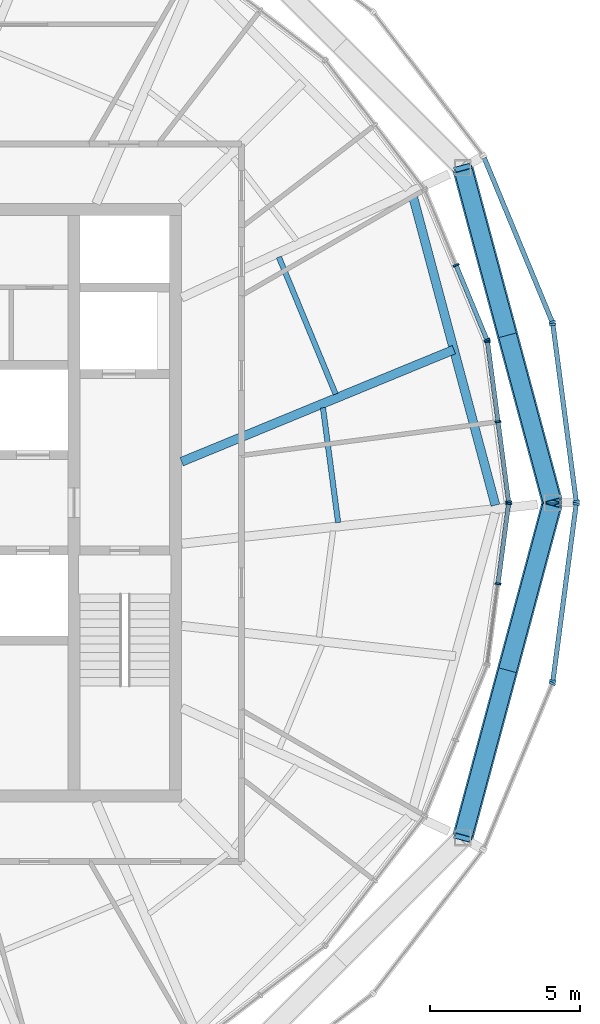
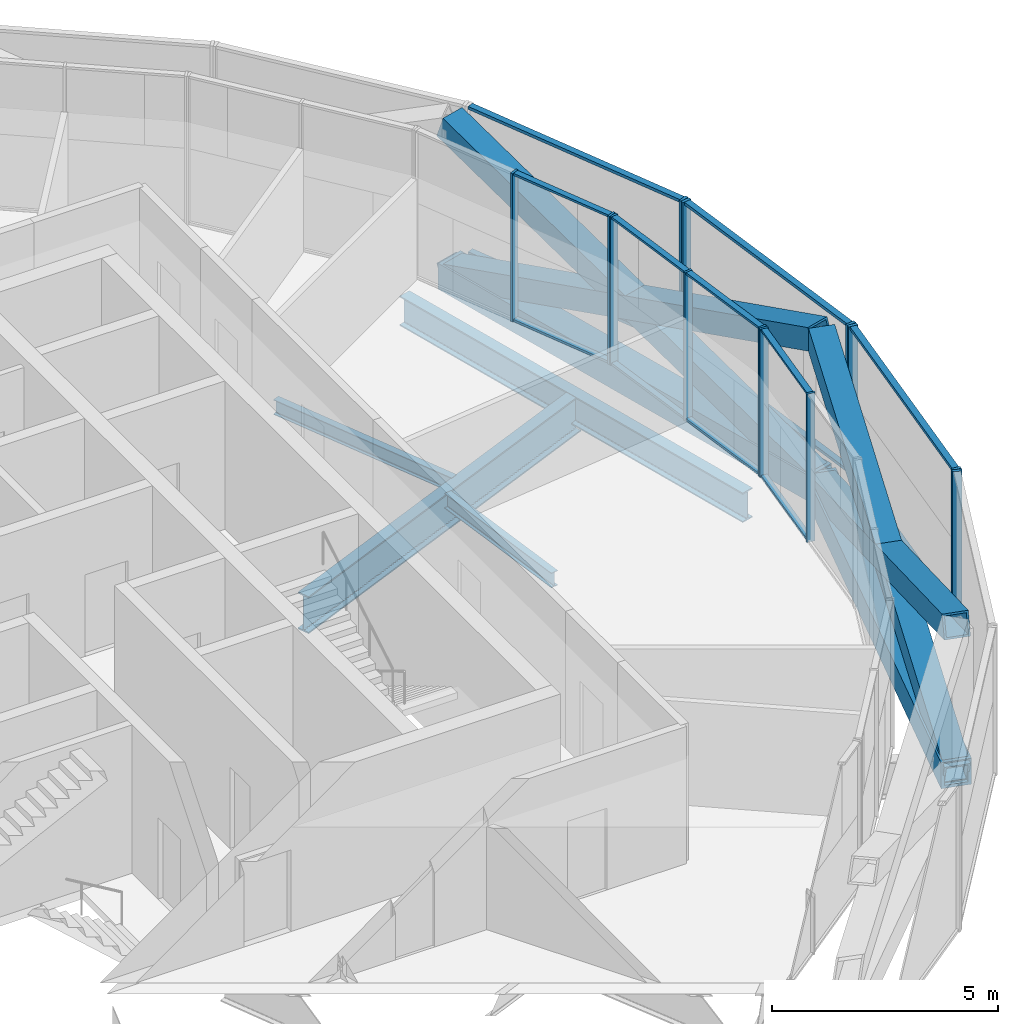
# One storey, part 6 of 17: 31 members, 6 beams, 7 elements without a shape of their own.
"""IFC4 building model written with IfcOpenShell, lengths in metres."""

import ifcopenshell
import ifcopenshell.guid

model = None  # the IFC model being written
_history = None  # IfcOwnerHistory: only IFC2X3 demands one
_inside = {}  # id of a spatial element -> (the spatial element, [elements in it])
_under = {}  # id of a project, library or spatial element -> (it, [spatial elements below it])
_declared = {}  # id of a project -> (the project, [libraries it declares])
_typed = {}  # id of a type object -> (the type object, [elements of that type])
_made_of = {}  # id of a material, layer set ... -> (it, [elements and type objects made of it])


def new_model(schema):
    """Start an empty IFC model of exactly this schema.

    Asked for "IFC4X3", IfcOpenShell would pick the latest addendum, in which some entities
    have other attributes; the version numbers below select the first issue.
    IFC2X3 requires an IfcOwnerHistory on every rooted entity: one is made here for all.
    """
    global model, _history
    if schema == "IFC4X3":
        model = ifcopenshell.file(schema_version=(4, 3, 0, 0))
    else:
        model = ifcopenshell.file(schema=schema)
    _inside.clear()
    _under.clear()
    _declared.clear()
    _typed.clear()
    _made_of.clear()
    _history = None
    if model.schema == "IFC2X3":
        org = make("IfcOrganization", Name="unknown")
        user = make(
            "IfcPersonAndOrganization",
            ThePerson=make("IfcPerson", FamilyName="unknown"),
            TheOrganization=org,
        )
        app = make(
            "IfcApplication",
            ApplicationDeveloper=org,
            Version="unknown",
            ApplicationFullName="unknown",
            ApplicationIdentifier="unknown",
        )
        _history = make(
            "IfcOwnerHistory",
            OwningUser=user,
            OwningApplication=app,
            ChangeAction="ADDED",
            CreationDate=0,
        )
    return model


def make(cls, **values):
    """One entity of the class cls with the attributes given. An attribute that is None is left unset."""
    return model.create_entity(
        cls, **{name: value for name, value in values.items() if value is not None}
    )


def rooted(cls, **values):
    """An entity with a GlobalId (a new one), such as an element, a storey or a relation."""
    return make(cls, GlobalId=ifcopenshell.guid.new(), OwnerHistory=_history, **values)


def si_unit(unit_type, name, prefix=None):
    """IfcSIUnit, for example si_unit("LENGTHUNIT", "METRE", prefix="MILLI")."""
    return make("IfcSIUnit", UnitType=unit_type, Prefix=prefix, Name=name)


def assignment(units):
    """IfcUnitAssignment: the units of a project."""
    return None if units is None else make("IfcUnitAssignment", Units=units)


def point(xyz):
    """IfcCartesianPoint."""
    return None if xyz is None else make("IfcCartesianPoint", Coordinates=xyz)


def direction(xyz):
    """IfcDirection."""
    return None if xyz is None else make("IfcDirection", DirectionRatios=xyz)


def frame(location, z_axis=None, x_axis=None):
    """IfcAxis2Placement3D, a coordinate frame: its origin and axes. An axis left out is left unset."""
    return make(
        "IfcAxis2Placement3D",
        Location=point(location),
        Axis=direction(z_axis),
        RefDirection=direction(x_axis),
    )


def frame_2d(location, x_axis=None):
    """IfcAxis2Placement2D, a coordinate frame in the plane: its origin and x axis."""
    return make(
        "IfcAxis2Placement2D", Location=point(location), RefDirection=direction(x_axis)
    )


def origin():
    """The frame at (0, 0, 0) with its axes left unset."""
    return frame((0.0, 0.0, 0.0))


def origin_2d():
    """The frame at (0, 0) in the plane with its x axis left unset."""
    return frame_2d((0.0, 0.0))


def place(relative_to, where):
    """IfcLocalPlacement: puts the frame where relative to a parent placement (None: the world)."""
    return make(
        "IfcLocalPlacement", PlacementRelTo=relative_to, RelativePlacement=where
    )


def context(
    kind, dimensions, precision=None, world=None, true_north=None, identifier=None
):
    """IfcGeometricRepresentationContext, for example the 3D "Model" context."""
    return make(
        "IfcGeometricRepresentationContext",
        ContextIdentifier=identifier,
        ContextType=kind,
        CoordinateSpaceDimension=dimensions,
        Precision=precision,
        WorldCoordinateSystem=world,
        TrueNorth=true_north,
    )


def subcontext(parent, identifier, kind, view, scale=None):
    """IfcGeometricRepresentationSubContext, for example "Body" below "Model"."""
    return make(
        "IfcGeometricRepresentationSubContext",
        ContextIdentifier=identifier,
        ContextType=kind,
        ParentContext=parent,
        TargetScale=scale,
        TargetView=view,
    )


def project(units=None, contexts=None):
    """IfcProject with its units and contexts."""
    return rooted(
        "IfcProject",
        Name="project",
        RepresentationContexts=contexts,
        UnitsInContext=assignment(units),
    )


def spatial(cls, under=None, at=None, **own):
    """A site, building, storey or space (cls), placed at a placement, below another one or the project."""
    s = rooted(cls, ObjectPlacement=at, **own)
    if under is not None:
        _under.setdefault(under.id(), (under, []))[1].append(s)
    return s


def profile(cls, at=None, kind="AREA", **sizes):
    """A parametric profile (cls). Its sizes go by their IFC names, for example OverallWidth=200.0."""
    return make(cls, ProfileType=kind, Position=at, **sizes)


def rectangle(**sizes):
    """IfcRectangleProfileDef."""
    return profile("IfcRectangleProfileDef", **sizes)


def hollow_rectangle(**sizes):
    """IfcRectangleHollowProfileDef."""
    return profile("IfcRectangleHollowProfileDef", **sizes)


def i_section(**sizes):
    """IfcIShapeProfileDef."""
    return profile("IfcIShapeProfileDef", **sizes)


def extrude(swept, where, along, depth):
    """IfcExtrudedAreaSolid: the profile swept, set in the frame where, extruded along a direction by depth."""
    return make(
        "IfcExtrudedAreaSolid",
        SweptArea=swept,
        Position=where,
        ExtrudedDirection=direction(along),
        Depth=depth,
    )


def shape(context_of_items, identifier, shape_type, items):
    """IfcShapeRepresentation: the items that make up one representation, for example the "Body"."""
    return make(
        "IfcShapeRepresentation",
        ContextOfItems=context_of_items,
        RepresentationIdentifier=identifier,
        RepresentationType=shape_type,
        Items=items,
    )


def material(Name=None, Category=None):
    """IfcMaterial."""
    return make("IfcMaterial", Name=Name, Category=Category)


def material_profile(
    of_material, cross_section, Name=None, Category=None, Priority=None
):
    """IfcMaterialProfile: a cross section and its material."""
    return make(
        "IfcMaterialProfile",
        Name=Name,
        Material=of_material,
        Profile=cross_section,
        Priority=Priority,
        Category=Category,
    )


def profile_set(profiles, Name=None, composite=None):
    """IfcMaterialProfileSet."""
    return make(
        "IfcMaterialProfileSet",
        Name=Name,
        MaterialProfiles=profiles,
        CompositeProfile=composite,
    )


def made_of(thing, what):
    """Note that an element or type object is made of a material, layer set ...; save() writes the relation."""
    if what is not None:
        _made_of.setdefault(what.id(), (what, []))[1].append(thing)
    return thing


def type_object(cls, material=None, **own):
    """A type object (cls), such as IfcWallType, which elements share."""
    return made_of(rooted(cls, **own), material)


def element(
    cls,
    number,
    at=None,
    inside=None,
    cuts=None,
    type_object=None,
    material=None,
    context=None,
    identifier="Body",
    shape_type=None,
    held_by="IfcProductDefinitionShape",
    body=None,
    shapes=None,
    **own,
):
    """One element of the class cls, such as IfcWall. Its Tag is "e" and its number.

    at: its placement. inside: the storey or other place that contains it. cuts: it is an
    opening in that element (IfcRelVoidsElement). A single representation is given by context,
    identifier, shape_type and body (its items); several are given by shapes. held_by: the class
    of the entity that holds the representations. save() writes the other relations.
    """
    e = rooted(cls, Tag="e%d" % number, ObjectPlacement=at, **own)
    if body is not None:
        shapes = [shape(context, identifier, shape_type, body)]
    if shapes is not None:
        e.Representation = make(held_by, Representations=shapes)
    if inside is not None:
        _inside.setdefault(inside.id(), (inside, []))[1].append(e)
    if cuts is not None:
        rooted(
            "IfcRelVoidsElement", RelatingBuildingElement=cuts, RelatedOpeningElement=e
        )
    if type_object is not None:
        _typed.setdefault(type_object.id(), (type_object, []))[1].append(e)
    return made_of(e, material)


def aggregate(whole, parts):
    """IfcRelAggregates: a whole, such as a stair, and the parts it consists of."""
    return rooted("IfcRelAggregates", RelatingObject=whole, RelatedObjects=parts)


def save(model, path):
    """Write the relations noted so far, then the file.

    IfcRelAggregates (storeys below a building ...), IfcRelContainedInSpatialStructure (elements
    in a storey), IfcRelDefinesByType, IfcRelAssociatesMaterial and IfcRelDeclares: one each for
    every whole, place, type object, material and project.
    """
    for whole, parts in _under.values():
        aggregate(whole, parts)
    for where, things in _inside.values():
        rooted(
            "IfcRelContainedInSpatialStructure",
            RelatedElements=things,
            RelatingStructure=where,
        )
    for kind, things in _typed.values():
        rooted("IfcRelDefinesByType", RelatedObjects=things, RelatingType=kind)
    for what, things in _made_of.values():
        rooted("IfcRelAssociatesMaterial", RelatedObjects=things, RelatingMaterial=what)
    for by, libraries in _declared.values():
        rooted("IfcRelDeclares", RelatingContext=by, RelatedDefinitions=libraries)
    model.write(path)


model = new_model("IFC4")

# Units and contexts
model_context = context("Model", 3, precision=1e-05, world=origin(), true_north=direction((0.0, 1.0)))
body_context = subcontext(model_context, "Body", "Model", "MODEL_VIEW")
ifc_project = project(units=[si_unit("LENGTHUNIT", "METRE"), si_unit("AREAUNIT", "SQUARE_METRE"), si_unit("VOLUMEUNIT", "CUBIC_METRE"), si_unit("PLANEANGLEUNIT", "RADIAN"), si_unit("MASSUNIT", "GRAM", prefix="KILO")], contexts=[model_context])

# Site, building, storey
site_placement = place(None, origin())
site = spatial("IfcSite", under=ifc_project, at=site_placement, CompositionType="ELEMENT")
building_placement = place(site_placement, origin())
building = spatial("IfcBuilding", under=site, at=building_placement, Name="Golbaran Civic Tower", CompositionType="ELEMENT")
storey_placement = place(building_placement, frame((0.0, 0.0, 280.0)))
storey = spatial("IfcBuildingStorey", under=building, at=storey_placement, Name="L68", CompositionType="ELEMENT", Elevation=280.0)

# Members
ifc_material_1 = material(Name="Steel S355", Category="steel")
ifc_material_profile_1 = material_profile(ifc_material_1, hollow_rectangle(XDim=0.60009765625, YDim=0.60009765625, WallThickness=0.050048828125, at=origin_2d()), Name="BOX 600x600x50")
ifc_profile_set_1 = profile_set([ifc_material_profile_1], Name="Steel S355")
member_type_1 = type_object("IfcMemberType", Name="CROWN FRAME LOWER BRACE BOX 600x600x50", PredefinedType="BRACE", material=ifc_profile_set_1)
for number, where, z_axis, x_axis, name in (
    (1, (22.39990234375, 0.0, -0.7099609375), (-0.244666247524, 0.913119435827, 0.326115505975), (-0.965926716951, -0.258815721085, 0.0), "Crown frame lower brace 1A"),
    (2, (19.39892578125, 11.199951171875, -0.7099609375), (0.244666247524, -0.913119435827, 0.326115505975), (0.965926716951, 0.258815721085, 0.0), "Crown frame lower brace 1B"),
    (3, (19.39892578125, -11.199951171875, -0.7099609375), (0.244666247524, 0.913119435827, 0.326115505975), (-0.965926716951, 0.258815721085, 0.0), "Crown frame lower brace 12A"),
    (4, (22.39990234375, 0.0, -0.7099609375), (-0.244666247524, -0.913119435827, 0.326115505975), (0.965926716951, -0.258815721085, 0.0), "Crown frame lower brace 12B"),
):
    element("IfcMember", number, at=place(storey_placement, frame(where, z_axis=z_axis, x_axis=x_axis)), inside=storey, type_object=member_type_1, Name=name, PredefinedType="BRACE", context=body_context, shape_type="SweptSolid", body=[
        extrude(hollow_rectangle(XDim=0.60009765625, YDim=0.60009765625, WallThickness=0.050048828125, at=origin_2d()), origin(), (0.0, 0.0, 1.0), 12.265625),
    ])

# Beams
ifc_material_profile_2 = material_profile(ifc_material_1, hollow_rectangle(XDim=0.699951171875, YDim=0.699951171875, WallThickness=0.080078125, at=origin_2d()), Name="BOX 700x700x80")
ifc_profile_set_2 = profile_set([ifc_material_profile_2], Name="Steel S355")
beam_type_1 = type_object("IfcBeamType", Name="DIAGRID RING TIE BOX 700x700x80", PredefinedType="BEAM", material=ifc_profile_set_2)
for number, where, z_axis, x_axis, name in (
    (5, (22.39990234375, 0.0, -0.7099609375), (-0.258815721085, 0.965926716951, 0.0), (-0.965926716951, -0.258815721085, 0.0), "Ring tie 0.00 L68"),
    (6, (19.39892578125, -11.199951171875, -0.7099609375), (0.258815721085, 0.965926716951, 0.0), (-0.965926716951, 0.258815721085, 0.0), "Ring tie 330.00 L68"),
):
    element("IfcBeam", number, at=place(storey_placement, frame(where, z_axis=z_axis, x_axis=x_axis)), inside=storey, type_object=beam_type_1, Name=name, PredefinedType="BEAM", context=body_context, shape_type="SweptSolid", body=[
        extrude(hollow_rectangle(XDim=0.699951171875, YDim=0.699951171875, WallThickness=0.080078125, at=origin_2d()), origin(), (0.0, 0.0, 1.0), 11.594970703125),
    ])
ifc_material_profile_3 = material_profile(ifc_material_1, i_section(OverallWidth=0.300048828125, OverallDepth=0.800048828125, WebThickness=0.017578125, FlangeThickness=0.032958984375, FilletRadius=0.030029296875, at=origin_2d()), Name="HEB 800")
ifc_profile_set_3 = profile_set([ifc_material_profile_3], Name="Steel S355")
beam_type_2 = type_object("IfcBeamType", Name="EDGE BEAM HEB 800", PredefinedType="BEAM", material=ifc_profile_set_3)
beam_1_placement = place(storey_placement, frame((20.492919921875, -0.080078125, -0.60009765625), z_axis=(-0.257960121844, 0.966155564875, 0.0), x_axis=(-0.966155564875, -0.257960121844, 0.0)))
element("IfcBeam", 7, at=beam_1_placement, inside=storey, type_object=beam_type_2, Name="Edge beam 0.00 L68", PredefinedType="BEAM", context=body_context, shape_type="SweptSolid", body=[
    extrude(i_section(OverallWidth=0.300048828125, OverallDepth=0.800048828125, WebThickness=0.017578125, FlangeThickness=0.032958984375, FilletRadius=0.030029296875, at=origin_2d()), origin(), (0.0, 0.0, 1.0), 10.726806640625),
])
ifc_material_profile_4 = material_profile(ifc_material_1, i_section(OverallWidth=0.179931640625, OverallDepth=0.39990234375, WebThickness=0.008544921875, FlangeThickness=0.013427734375, FilletRadius=0.02099609375, at=origin_2d()), Name="IPE 400")
ifc_profile_set_4 = profile_set([ifc_material_profile_4], Name="Steel S355")
beam_type_3 = type_object("IfcBeamType", Name="FLOOR INFILL BEAM IPE 400", PredefinedType="BEAM", material=ifc_profile_set_4)
beam_2_placement = place(storey_placement, frame((15.2333984375, -0.661865234375, -0.39990234375), z_axis=(-0.130519754353, 0.991445708914, 0.0), x_axis=(-0.991445708914, -0.130519754353, 0.0)))
element("IfcBeam", 8, at=beam_2_placement, inside=storey, type_object=beam_type_3, Name="Infill beam 7.50 L68", PredefinedType="BEAM", context=body_context, shape_type="SweptSolid", body=[
    extrude(i_section(OverallWidth=0.179931640625, OverallDepth=0.39990234375, WebThickness=0.008544921875, FlangeThickness=0.013427734375, FilletRadius=0.02099609375, at=origin_2d()), origin(), (0.0, 0.0, 1.0), 3.8720703125),
])
beam_3_placement = place(storey_placement, frame((15.151123046875, 3.63232421875, -0.39990234375), z_axis=(-0.382696532812, 0.923874106019, 0.0), x_axis=(-0.923874106019, -0.382696532812, 0.0)))
element("IfcBeam", 9, at=beam_3_placement, inside=storey, type_object=beam_type_3, Name="Infill beam 22.50 L68", PredefinedType="BEAM", context=body_context, shape_type="SweptSolid", body=[
    extrude(i_section(OverallWidth=0.179931640625, OverallDepth=0.39990234375, WebThickness=0.008544921875, FlangeThickness=0.013427734375, FilletRadius=0.02099609375, at=origin_2d()), origin(), (0.0, 0.0, 1.0), 4.9619140625),
])

# Curtain wall, members
ifc_material_2 = material(Name="Aluminium and glass", Category="aluminium")
curtain_wall_type_1 = type_object("IfcCurtainWallType", Name="INNER SKIN CURTAIN WALL EXECUTIVE", PredefinedType="NOTDEFINED", material=ifc_material_2)
curtain_wall_1_placement = place(storey_placement, origin())
curtain_wall_1 = element("IfcCurtainWall", 10, at=curtain_wall_1_placement, inside=storey, type_object=curtain_wall_type_1, Name="Inner skin L68 facet 1 CW2", ObjectType="INNER SKIN", PredefinedType="USERDEFINED")
ifc_material_3 = material(Name="Aluminium", Category="aluminium")
ifc_material_profile_5 = material_profile(ifc_material_3, rectangle(XDim=0.199951171875, YDim=0.06005859375, at=origin_2d()), Name="INNER SKIN CURTAIN WALL EXECUTIVE MULLION")
ifc_profile_set_5 = profile_set([ifc_material_profile_5], Name="Aluminium")
member_type_2 = type_object("IfcMemberType", Name="INNER SKIN CURTAIN WALL EXECUTIVE MULLION", PredefinedType="MULLION", material=ifc_profile_set_5)
member_1_placement = place(storey_placement, frame((20.93310546875, 0.02978515625, 0.0), z_axis=(0.0, 0.0, 1.0), x_axis=(-0.991444861372, -0.130526192237, 0.0)))
member_1 = element("IfcMember", 11, at=member_1_placement, type_object=member_type_2, Name="CW2 mullion 1", PredefinedType="MULLION", context=body_context, shape_type="SweptSolid", body=[
    extrude(rectangle(XDim=0.199951171875, YDim=0.06005859375, at=origin_2d()), origin(), (0.0, 0.0, 1.0), 4.0),
])
member_2_placement = place(storey_placement, frame((20.580322265625, 2.70947265625, 0.0), z_axis=(0.0, 0.0, 1.0), x_axis=(-0.991444861372, -0.130526192237, 0.0)))
member_2 = element("IfcMember", 12, at=member_2_placement, type_object=member_type_2, Name="CW2 mullion 2", PredefinedType="MULLION", context=body_context, shape_type="SweptSolid", body=[
    extrude(rectangle(XDim=0.199951171875, YDim=0.06005859375, at=origin_2d()), origin(), (0.0, 0.0, 1.0), 4.0),
])
member_3_placement = place(storey_placement, frame((20.2275390625, 5.38916015625, 0.0), z_axis=(0.0, 0.0, 1.0), x_axis=(-0.991444861372, -0.130526192237, 0.0)))
member_3 = element("IfcMember", 13, at=member_3_placement, type_object=member_type_2, Name="CW2 mullion 3", PredefinedType="MULLION", context=body_context, shape_type="SweptSolid", body=[
    extrude(rectangle(XDim=0.199951171875, YDim=0.06005859375, at=origin_2d()), origin(), (0.0, 0.0, 1.0), 4.0),
])

curtain_wall_2_placement = place(storey_placement, origin())
curtain_wall_2 = element("IfcCurtainWall", 14, at=curtain_wall_2_placement, inside=storey, type_object=curtain_wall_type_1, Name="Inner skin L68 facet 2 CW2", ObjectType="INNER SKIN", PredefinedType="USERDEFINED")
member_4_placement = place(storey_placement, frame((20.212158203125, 5.446533203125, 0.0), z_axis=(0.0, 0.0, 1.0), x_axis=(-0.923879532518, -0.382683432349, 0.0)))
member_4 = element("IfcMember", 15, at=member_4_placement, type_object=member_type_2, Name="CW2 mullion 1", PredefinedType="MULLION", context=body_context, shape_type="SweptSolid", body=[
    extrude(rectangle(XDim=0.199951171875, YDim=0.06005859375, at=origin_2d()), origin(), (0.0, 0.0, 1.0), 4.0),
])
member_5_placement = place(storey_placement, frame((19.177734375, 7.943603515625, 0.0), z_axis=(0.0, 0.0, 1.0), x_axis=(-0.923879532518, -0.382683432349, 0.0)))
member_5 = element("IfcMember", 16, at=member_5_placement, type_object=member_type_2, Name="CW2 mullion 2", PredefinedType="MULLION", context=body_context, shape_type="SweptSolid", body=[
    extrude(rectangle(XDim=0.199951171875, YDim=0.06005859375, at=origin_2d()), origin(), (0.0, 0.0, 1.0), 4.0),
])

curtain_wall_3_placement = place(storey_placement, origin())
curtain_wall_3 = element("IfcCurtainWall", 17, at=curtain_wall_3_placement, inside=storey, type_object=curtain_wall_type_1, Name="Inner skin L68 facet 24 CW2", ObjectType="INNER SKIN", PredefinedType="USERDEFINED")
member_6_placement = place(storey_placement, frame((20.580322265625, -2.70947265625, 0.0), z_axis=(0.0, 0.0, 1.0), x_axis=(-0.991444861372, 0.130526192237, 0.0)))
member_6 = element("IfcMember", 18, at=member_6_placement, type_object=member_type_2, Name="CW2 mullion 2", PredefinedType="MULLION", context=body_context, shape_type="SweptSolid", body=[
    extrude(rectangle(XDim=0.199951171875, YDim=0.06005859375, at=origin_2d()), origin(), (0.0, 0.0, 1.0), 4.0),
])
member_7_placement = place(storey_placement, frame((20.93310546875, -0.02978515625, 0.0), z_axis=(0.0, 0.0, 1.0), x_axis=(-0.991444861372, 0.130526192237, 0.0)))
member_7 = element("IfcMember", 19, at=member_7_placement, type_object=member_type_2, Name="CW2 mullion 3", PredefinedType="MULLION", context=body_context, shape_type="SweptSolid", body=[
    extrude(rectangle(XDim=0.199951171875, YDim=0.06005859375, at=origin_2d()), origin(), (0.0, 0.0, 1.0), 4.0),
])

# Member
ifc_material_profile_6 = material_profile(ifc_material_3, rectangle(XDim=0.14990234375, YDim=0.06005859375, at=origin_2d()), Name="INNER SKIN CURTAIN WALL EXECUTIVE TRANSOM")
ifc_profile_set_6 = profile_set([ifc_material_profile_6], Name="Aluminium")
member_type_3 = type_object("IfcMemberType", Name="INNER SKIN CURTAIN WALL EXECUTIVE TRANSOM", PredefinedType="USERDEFINED", material=ifc_profile_set_6)
member_8_placement = place(storey_placement, frame((20.92919921875, 0.0595703125, 0.030029296875), z_axis=(-0.130535763012, 0.991443601308, 0.0), x_axis=(-0.991443601308, -0.130535763012, 0.0)))
member_8 = element("IfcMember", 20, at=member_8_placement, type_object=member_type_3, Name="CW2 transom 1.1", ObjectType="TRANSOM", PredefinedType="USERDEFINED", context=body_context, shape_type="SweptSolid", body=[
    extrude(rectangle(XDim=0.14990234375, YDim=0.06005859375, at=origin_2d()), origin(), (0.0, 0.0, 1.0), 2.642822265625),
])

member_9_placement = place(storey_placement, frame((20.92919921875, 0.0595703125, 3.969970703125), z_axis=(-0.130535763012, 0.991443601308, 0.0), x_axis=(-0.991443601308, -0.130535763012, 0.0)))
member_9 = element("IfcMember", 21, at=member_9_placement, type_object=member_type_3, Name="CW2 transom 1.2", ObjectType="TRANSOM", PredefinedType="USERDEFINED", context=body_context, shape_type="SweptSolid", body=[
    extrude(rectangle(XDim=0.14990234375, YDim=0.06005859375, at=origin_2d()), origin(), (0.0, 0.0, 1.0), 2.642822265625),
])

member_10_placement = place(storey_placement, frame((20.576416015625, 2.7392578125, 0.030029296875), z_axis=(-0.130535763012, 0.991443601308, 0.0), x_axis=(-0.991443601308, -0.130535763012, 0.0)))
member_10 = element("IfcMember", 22, at=member_10_placement, type_object=member_type_3, Name="CW2 transom 2.1", ObjectType="TRANSOM", PredefinedType="USERDEFINED", context=body_context, shape_type="SweptSolid", body=[
    extrude(rectangle(XDim=0.14990234375, YDim=0.06005859375, at=origin_2d()), origin(), (0.0, 0.0, 1.0), 2.642822265625),
])

member_11_placement = place(storey_placement, frame((20.576416015625, 2.7392578125, 3.969970703125), z_axis=(-0.130535763012, 0.991443601308, 0.0), x_axis=(-0.991443601308, -0.130535763012, 0.0)))
member_11 = element("IfcMember", 23, at=member_11_placement, type_object=member_type_3, Name="CW2 transom 2.2", ObjectType="TRANSOM", PredefinedType="USERDEFINED", context=body_context, shape_type="SweptSolid", body=[
    extrude(rectangle(XDim=0.14990234375, YDim=0.06005859375, at=origin_2d()), origin(), (0.0, 0.0, 1.0), 2.642822265625),
])

aggregate(curtain_wall_1, [member_1, member_2, member_3, member_8, member_9, member_10, member_11])

member_12_placement = place(storey_placement, frame((20.20068359375, 5.474365234375, 0.030029296875), z_axis=(-0.382718926922, 0.923864829386, 0.0), x_axis=(-0.923864829386, -0.382718926922, 0.0)))
member_12 = element("IfcMember", 24, at=member_12_placement, type_object=member_type_3, Name="CW2 transom 1.1", ObjectType="TRANSOM", PredefinedType="USERDEFINED", context=body_context, shape_type="SweptSolid", body=[
    extrude(rectangle(XDim=0.14990234375, YDim=0.06005859375, at=origin_2d()), origin(), (0.0, 0.0, 1.0), 2.642822265625),
])

member_13_placement = place(storey_placement, frame((20.20068359375, 5.474365234375, 3.969970703125), z_axis=(-0.382718926922, 0.923864829386, 0.0), x_axis=(-0.923864829386, -0.382718926922, 0.0)))
member_13 = element("IfcMember", 25, at=member_13_placement, type_object=member_type_3, Name="CW2 transom 1.2", ObjectType="TRANSOM", PredefinedType="USERDEFINED", context=body_context, shape_type="SweptSolid", body=[
    extrude(rectangle(XDim=0.14990234375, YDim=0.06005859375, at=origin_2d()), origin(), (0.0, 0.0, 1.0), 2.642822265625),
])

aggregate(curtain_wall_2, [member_4, member_5, member_12, member_13])

member_14_placement = place(storey_placement, frame((20.584228515625, -2.6796875, 0.030029296875), z_axis=(0.130535763012, 0.991443601308, 0.0), x_axis=(-0.991443601308, 0.130535763012, 0.0)))
member_14 = element("IfcMember", 26, at=member_14_placement, type_object=member_type_3, Name="CW2 transom 2.1", ObjectType="TRANSOM", PredefinedType="USERDEFINED", context=body_context, shape_type="SweptSolid", body=[
    extrude(rectangle(XDim=0.14990234375, YDim=0.06005859375, at=origin_2d()), origin(), (0.0, 0.0, 1.0), 2.642822265625),
])

member_15_placement = place(storey_placement, frame((20.584228515625, -2.6796875, 3.969970703125), z_axis=(0.130535763012, 0.991443601308, 0.0), x_axis=(-0.991443601308, 0.130535763012, 0.0)))
member_15 = element("IfcMember", 27, at=member_15_placement, type_object=member_type_3, Name="CW2 transom 2.2", ObjectType="TRANSOM", PredefinedType="USERDEFINED", context=body_context, shape_type="SweptSolid", body=[
    extrude(rectangle(XDim=0.14990234375, YDim=0.06005859375, at=origin_2d()), origin(), (0.0, 0.0, 1.0), 2.642822265625),
])

aggregate(curtain_wall_3, [member_6, member_7, member_14, member_15])

# Curtain wall, members
curtain_wall_type_2 = type_object("IfcCurtainWallType", Name="OUTER SKIN TERRACOTTA SCREEN", PredefinedType="NOTDEFINED", material=ifc_material_2)
curtain_wall_4_placement = place(storey_placement, origin())
curtain_wall_4 = element("IfcCurtainWall", 28, at=curtain_wall_4_placement, inside=storey, type_object=curtain_wall_type_2, Name="Outer skin L68 facet 1 CW3", ObjectType="OUTER SKIN", PredefinedType="USERDEFINED")
ifc_material_profile_7 = material_profile(ifc_material_3, rectangle(XDim=0.219970703125, YDim=0.080078125, at=origin_2d()), Name="OUTER SKIN TERRACOTTA SCREEN MULLION")
ifc_profile_set_7 = profile_set([ifc_material_profile_7], Name="Aluminium")
member_type_4 = type_object("IfcMemberType", Name="OUTER SKIN TERRACOTTA SCREEN MULLION", PredefinedType="MULLION", material=ifc_profile_set_7)
member_16_placement = place(storey_placement, frame((23.19482421875, 0.03955078125, -0.7099609375), z_axis=(0.0, 0.0, 1.0), x_axis=(-0.991444861374, -0.13052619222, 0.0)))
member_16 = element("IfcMember", 29, at=member_16_placement, type_object=member_type_4, Name="CW3 mullion 1", PredefinedType="MULLION", context=body_context, shape_type="SweptSolid", body=[
    extrude(rectangle(XDim=0.219970703125, YDim=0.080078125, at=origin_2d()), origin(), (0.0, 0.0, 1.0), 4.0),
])
member_17_placement = place(storey_placement, frame((22.414794921875, 5.96484375, -0.7099609375), z_axis=(0.0, 0.0, 1.0), x_axis=(-0.991444861374, -0.13052619222, 0.0)))
member_17 = element("IfcMember", 30, at=member_17_placement, type_object=member_type_4, Name="CW3 mullion 2", PredefinedType="MULLION", context=body_context, shape_type="SweptSolid", body=[
    extrude(rectangle(XDim=0.219970703125, YDim=0.080078125, at=origin_2d()), origin(), (0.0, 0.0, 1.0), 4.0),
])

# Curtain wall, member
curtain_wall_5_placement = place(storey_placement, origin())
curtain_wall_5 = element("IfcCurtainWall", 31, at=curtain_wall_5_placement, inside=storey, type_object=curtain_wall_type_2, Name="Outer skin L68 facet 2 CW3", ObjectType="OUTER SKIN", PredefinedType="USERDEFINED")
member_18_placement = place(storey_placement, frame((22.394287109375, 6.04150390625, -0.7099609375), z_axis=(0.0, 0.0, 1.0), x_axis=(-0.923879532525, -0.382683432333, 0.0)))
member_18 = element("IfcMember", 32, at=member_18_placement, type_object=member_type_4, Name="CW3 mullion 1", PredefinedType="MULLION", context=body_context, shape_type="SweptSolid", body=[
    extrude(rectangle(XDim=0.219970703125, YDim=0.080078125, at=origin_2d()), origin(), (0.0, 0.0, 1.0), 4.0),
])

curtain_wall_6_placement = place(storey_placement, origin())
curtain_wall_6 = element("IfcCurtainWall", 33, at=curtain_wall_6_placement, inside=storey, type_object=curtain_wall_type_2, Name="Outer skin L68 facet 23 CW3", ObjectType="OUTER SKIN", PredefinedType="USERDEFINED")
member_19_placement = place(storey_placement, frame((22.394287109375, -6.04150390625, -0.7099609375), z_axis=(0.0, 0.0, 1.0), x_axis=(-0.923879532525, 0.382683432333, 0.0)))
member_19 = element("IfcMember", 34, at=member_19_placement, type_object=member_type_4, Name="CW3 mullion 2", PredefinedType="MULLION", context=body_context, shape_type="SweptSolid", body=[
    extrude(rectangle(XDim=0.219970703125, YDim=0.080078125, at=origin_2d()), origin(), (0.0, 0.0, 1.0), 4.0),
])
aggregate(curtain_wall_6, [member_19])

# Curtain wall, members
curtain_wall_7_placement = place(storey_placement, origin())
curtain_wall_7 = element("IfcCurtainWall", 35, at=curtain_wall_7_placement, inside=storey, type_object=curtain_wall_type_2, Name="Outer skin L68 facet 24 CW3", ObjectType="OUTER SKIN", PredefinedType="USERDEFINED")
member_20_placement = place(storey_placement, frame((22.414794921875, -5.96484375, -0.7099609375), z_axis=(0.0, 0.0, 1.0), x_axis=(-0.991444861374, 0.13052619222, 0.0)))
member_20 = element("IfcMember", 36, at=member_20_placement, type_object=member_type_4, Name="CW3 mullion 1", PredefinedType="MULLION", context=body_context, shape_type="SweptSolid", body=[
    extrude(rectangle(XDim=0.219970703125, YDim=0.080078125, at=origin_2d()), origin(), (0.0, 0.0, 1.0), 4.0),
])
member_21_placement = place(storey_placement, frame((23.19482421875, -0.03955078125, -0.7099609375), z_axis=(0.0, 0.0, 1.0), x_axis=(-0.991444861374, 0.13052619222, 0.0)))
member_21 = element("IfcMember", 37, at=member_21_placement, type_object=member_type_4, Name="CW3 mullion 2", PredefinedType="MULLION", context=body_context, shape_type="SweptSolid", body=[
    extrude(rectangle(XDim=0.219970703125, YDim=0.080078125, at=origin_2d()), origin(), (0.0, 0.0, 1.0), 4.0),
])

# Member
ifc_material_profile_8 = material_profile(ifc_material_3, rectangle(XDim=0.159912109375, YDim=0.080078125, at=origin_2d()), Name="OUTER SKIN TERRACOTTA SCREEN TRANSOM")
ifc_profile_set_8 = profile_set([ifc_material_profile_8], Name="Aluminium")
member_type_5 = type_object("IfcMemberType", Name="OUTER SKIN TERRACOTTA SCREEN TRANSOM", PredefinedType="USERDEFINED", material=ifc_profile_set_8)
member_22_placement = place(storey_placement, frame((23.189453125, 0.079345703125, -0.669921875), z_axis=(-0.130509136774, 0.991447106617, 0.0), x_axis=(-0.991447106617, -0.130509136774, 0.0)))
member_22 = element("IfcMember", 38, at=member_22_placement, type_object=member_type_5, Name="CW3 transom 1.1", ObjectType="TRANSOM", PredefinedType="USERDEFINED", context=body_context, shape_type="SweptSolid", body=[
    extrude(rectangle(XDim=0.159912109375, YDim=0.080078125, at=origin_2d()), origin(), (0.0, 0.0, 1.0), 5.896484375),
])

member_23_placement = place(storey_placement, frame((23.189453125, 0.079345703125, 3.25), z_axis=(-0.130509136774, 0.991447106617, 0.0), x_axis=(-0.991447106617, -0.130509136774, 0.0)))
member_23 = element("IfcMember", 39, at=member_23_placement, type_object=member_type_5, Name="CW3 transom 1.2", ObjectType="TRANSOM", PredefinedType="USERDEFINED", context=body_context, shape_type="SweptSolid", body=[
    extrude(rectangle(XDim=0.159912109375, YDim=0.080078125, at=origin_2d()), origin(), (0.0, 0.0, 1.0), 5.896484375),
])

aggregate(curtain_wall_4, [member_16, member_17, member_22, member_23])

member_24_placement = place(storey_placement, frame((22.37890625, 6.07861328125, -0.669921875), z_axis=(-0.382706502494, 0.923869976214, 0.0), x_axis=(-0.923869976214, -0.382706502494, 0.0)))
member_24 = element("IfcMember", 40, at=member_24_placement, type_object=member_type_5, Name="CW3 transom 1.1", ObjectType="TRANSOM", PredefinedType="USERDEFINED", context=body_context, shape_type="SweptSolid", body=[
    extrude(rectangle(XDim=0.159912109375, YDim=0.080078125, at=origin_2d()), origin(), (0.0, 0.0, 1.0), 5.896484375),
])

member_25_placement = place(storey_placement, frame((22.37890625, 6.07861328125, 3.25), z_axis=(-0.382706502494, 0.923869976214, 0.0), x_axis=(-0.923869976214, -0.382706502494, 0.0)))
member_25 = element("IfcMember", 41, at=member_25_placement, type_object=member_type_5, Name="CW3 transom 1.2", ObjectType="TRANSOM", PredefinedType="USERDEFINED", context=body_context, shape_type="SweptSolid", body=[
    extrude(rectangle(XDim=0.159912109375, YDim=0.080078125, at=origin_2d()), origin(), (0.0, 0.0, 1.0), 5.896484375),
])

aggregate(curtain_wall_5, [member_18, member_24, member_25])

member_26_placement = place(storey_placement, frame((22.419921875, -5.92529296875, -0.669921875), z_axis=(0.130509136774, 0.991447106617, 0.0), x_axis=(-0.991447106617, 0.130509136774, 0.0)))
member_26 = element("IfcMember", 42, at=member_26_placement, type_object=member_type_5, Name="CW3 transom 1.1", ObjectType="TRANSOM", PredefinedType="USERDEFINED", context=body_context, shape_type="SweptSolid", body=[
    extrude(rectangle(XDim=0.159912109375, YDim=0.080078125, at=origin_2d()), origin(), (0.0, 0.0, 1.0), 5.896484375),
])

member_27_placement = place(storey_placement, frame((22.419921875, -5.92529296875, 3.25), z_axis=(0.130509136774, 0.991447106617, 0.0), x_axis=(-0.991447106617, 0.130509136774, 0.0)))
member_27 = element("IfcMember", 43, at=member_27_placement, type_object=member_type_5, Name="CW3 transom 1.2", ObjectType="TRANSOM", PredefinedType="USERDEFINED", context=body_context, shape_type="SweptSolid", body=[
    extrude(rectangle(XDim=0.159912109375, YDim=0.080078125, at=origin_2d()), origin(), (0.0, 0.0, 1.0), 5.896484375),
])

aggregate(curtain_wall_7, [member_20, member_21, member_26, member_27])

# Beam
ifc_material_profile_9 = material_profile(ifc_material_1, i_section(OverallWidth=0.300048828125, OverallDepth=1.0, WebThickness=0.01904296875, FlangeThickness=0.035888671875, FilletRadius=0.030029296875, at=origin_2d()), Name="HEB 1000")
ifc_profile_set_9 = profile_set([ifc_material_profile_9], Name="Steel S355")
beam_type_4 = type_object("IfcBeamType", Name="SECONDARY FLOOR BEAM HEB 1000", PredefinedType="BEAM", material=ifc_profile_set_9)
beam_4_placement = place(storey_placement, frame((10.0, 1.371337890625, -0.7099609375), z_axis=(0.924721228964, 0.380645042926, 0.0), x_axis=(-0.380645042926, 0.924721228964, 0.0)))
element("IfcBeam", 44, at=beam_4_placement, inside=storey, type_object=beam_type_4, Name="Secondary beam 15.00 L68", PredefinedType="BEAM", context=body_context, shape_type="SweptSolid", body=[
    extrude(i_section(OverallWidth=0.300048828125, OverallDepth=1.0, WebThickness=0.01904296875, FlangeThickness=0.035888671875, FilletRadius=0.030029296875, at=origin_2d()), origin(), (0.0, 0.0, 1.0), 9.845947265625),
])

save(model, "model.ifc")
